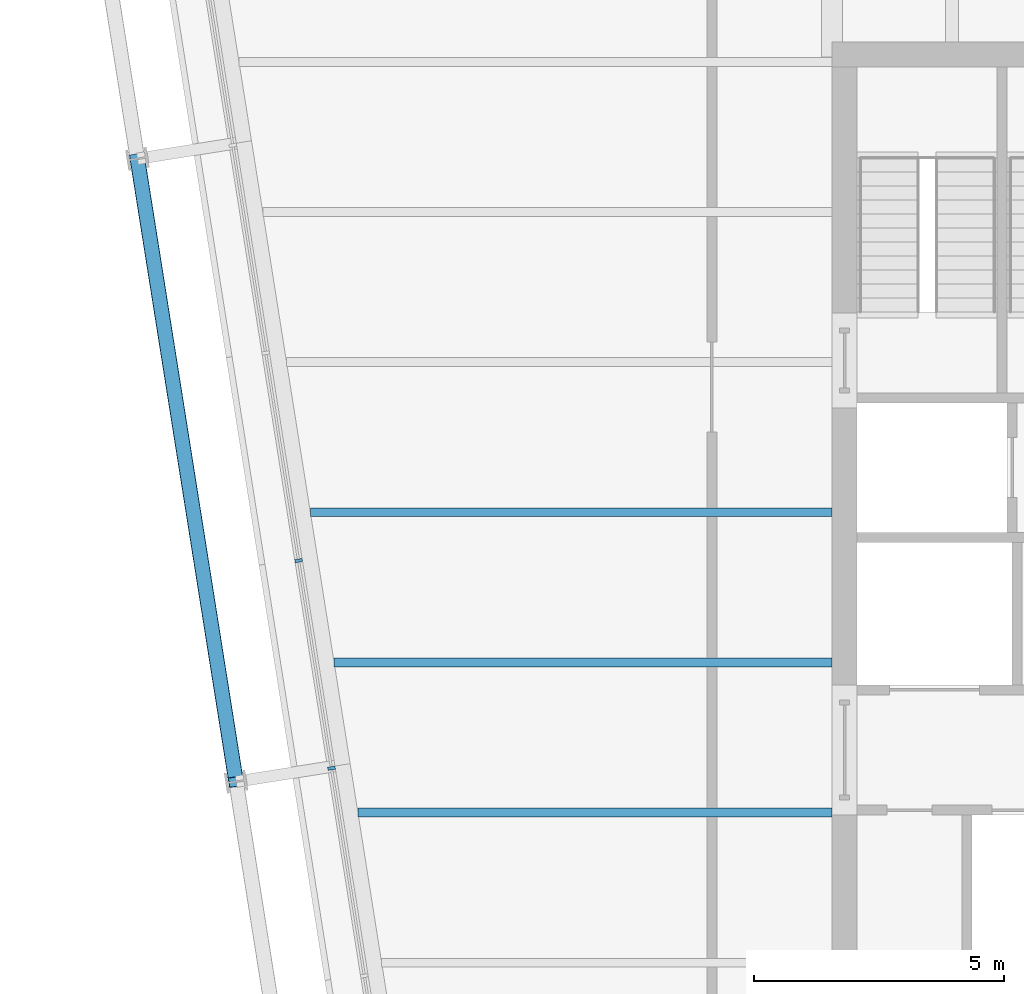
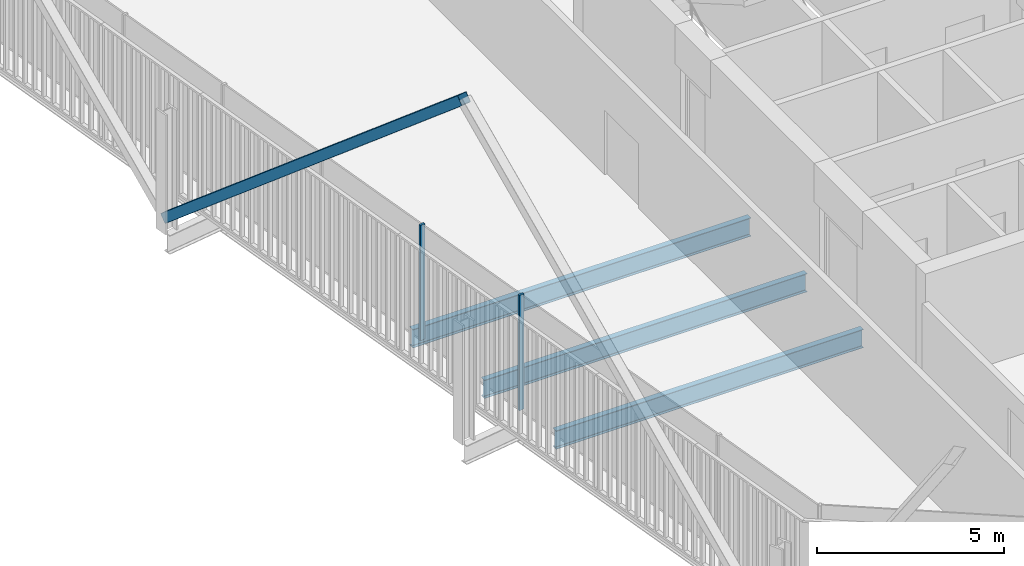
# One storey, part 5 of 21: 3 beams, 3 members, 1 element without a shape of its own.
"""IFC4 building model written with IfcOpenShell, lengths in metres."""

from ifc_helpers import new_model, si_unit, direction, frame, origin, origin_2d, place, context, subcontext, project, spatial, rectangle, hollow_rectangle, i_section, extrude, material, layer, layer_set, material_profile, profile_set, type_object, element, aggregate, save


model = new_model("IFC4")

# Units and contexts
model_context = context("Model", 3, precision=1e-05, world=origin(), true_north=direction((0.0, 1.0)))
body_context = subcontext(model_context, "Body", "Model", "MODEL_VIEW")
ifc_project = project(units=[si_unit("LENGTHUNIT", "METRE"), si_unit("AREAUNIT", "SQUARE_METRE"), si_unit("VOLUMEUNIT", "CUBIC_METRE"), si_unit("PLANEANGLEUNIT", "RADIAN"), si_unit("MASSUNIT", "GRAM", prefix="KILO")], contexts=[model_context])

# Site, building, storey
site_placement = place(None, origin())
site = spatial("IfcSite", under=ifc_project, at=site_placement, CompositionType="ELEMENT")
building_placement = place(site_placement, origin())
building = spatial("IfcBuilding", under=site, at=building_placement, Name="Millrace Tower", CompositionType="ELEMENT")
storey_placement = place(building_placement, frame((0.0, 0.0, 235.89990234375)))
storey = spatial("IfcBuildingStorey", under=building, at=storey_placement, Name="L54", CompositionType="ELEMENT", Elevation=235.89990234375)

# Curtain wall, members
ifc_material_1 = material(Name="Aluminium and glass", Category="aluminium")
ifc_layer = layer(ifc_material_1, 0.14990234375)
ifc_layer_set = layer_set([ifc_layer], Name="Aluminium and glass")
curtain_wall_type = type_object("IfcCurtainWallType", Name="CW-1 office vision curtain wall", PredefinedType="NOTDEFINED", material=ifc_layer_set)
curtain_wall_placement = place(storey_placement, origin())
curtain_wall = element("IfcCurtainWall", 1, at=curtain_wall_placement, inside=storey, type_object=curtain_wall_type, Name="Curtain wall D-F08 L54", PredefinedType="NOTDEFINED")
ifc_material_2 = material(Name="Aluminium", Category="aluminium")
ifc_material_profile_1 = material_profile(ifc_material_2, rectangle(XDim=0.06494140625, YDim=0.14990234375, at=origin_2d()))
ifc_profile_set_1 = profile_set([ifc_material_profile_1], Name="Aluminium")
member_type_1 = type_object("IfcMemberType", Name="CW-1 office vision curtain wall mullion", PredefinedType="MULLION", material=ifc_profile_set_1)
member_1_placement = place(storey_placement, frame((-25.057373046875, -0.966064453125, 0.14013671875), z_axis=(0.0, 0.0, 1.0), x_axis=(0.156434471884, -0.987688339511, 0.0)))
member_1 = element("IfcMember", 2, at=member_1_placement, type_object=member_type_1, Name="CW1 mullion D-F08.6", PredefinedType="MULLION", context=body_context, shape_type="SweptSolid", body=[
    extrude(rectangle(XDim=0.06494140625, YDim=0.14990234375, at=origin_2d()), origin(), (0.0, 0.0, 1.0), 3.760009765625),
])
member_2_placement = place(storey_placement, frame((-24.400390625, -5.1142578125, 0.14013671875), z_axis=(0.0, 0.0, 1.0), x_axis=(0.156434471884, -0.987688339511, 0.0)))
member_2 = element("IfcMember", 3, at=member_2_placement, type_object=member_type_1, Name="CW1 mullion D-F08.7", PredefinedType="MULLION", context=body_context, shape_type="SweptSolid", body=[
    extrude(rectangle(XDim=0.06494140625, YDim=0.14990234375, at=origin_2d()), origin(), (0.0, 0.0, 1.0), 3.760009765625),
])
aggregate(curtain_wall, [member_1, member_2])

# Member
ifc_material_3 = material(Name="Steel ASTM A500 Grade C", Category="steel")
ifc_material_profile_2 = material_profile(ifc_material_3, hollow_rectangle(XDim=0.3046875, YDim=0.3046875, WallThickness=0.009521484375, InnerFilletRadius=0.004638671875, OuterFilletRadius=0.014404296875, at=origin_2d()))
ifc_profile_set_2 = profile_set([ifc_material_profile_2], Name="Steel ASTM A500 Grade C")
member_type_2 = type_object("IfcMemberType", Name="Exoskeleton brace HSS12x12x3/8", PredefinedType="BRACE", material=ifc_profile_set_2)
member_3_placement = place(storey_placement, frame((-28.27783203125, 7.0615234375, 0.400146484375), z_axis=(0.119247735846, -0.752852871814, 0.647296323871), x_axis=(0.987686809102, 0.1564441342, 0.0)))
element("IfcMember", 4, at=member_3_placement, inside=storey, type_object=member_type_2, Name="BRC-D-L54-15", PredefinedType="BRACE", context=body_context, shape_type="SweptSolid", body=[
    extrude(hollow_rectangle(XDim=0.3046875, YDim=0.3046875, WallThickness=0.009521484375, InnerFilletRadius=0.004638671875, OuterFilletRadius=0.014404296875, at=origin_2d()), origin(), (0.0, 0.0, 1.0), 16.5302734375),
])

# Beams
ifc_material_4 = material(Name="Steel ASTM A992 Grade 50", Category="steel")
ifc_material_profile_3 = material_profile(ifc_material_4, i_section(OverallWidth=0.177978515625, OverallDepth=0.599365234375, WebThickness=0.010009765625, FlangeThickness=0.012939453125, FilletRadius=0.012939453125, at=origin_2d()))
ifc_profile_set_3 = profile_set([ifc_material_profile_3], Name="Steel ASTM A992 Grade 50")
beam_type_1 = type_object("IfcBeamType", Name="Floor beam W24x55", PredefinedType="JOIST", material=ifc_profile_set_3)
beam_1_placement = place(storey_placement, frame((-23.872802734375, -6.0, -0.459716796875), z_axis=(1.0, 0.0, 0.0), x_axis=(0.0, 1.0, 0.0)))
element("IfcBeam", 5, at=beam_1_placement, inside=storey, type_object=beam_type_1, Name="BM-D-L54-S1-S009", PredefinedType="JOIST", context=body_context, shape_type="SweptSolid", body=[
    extrude(i_section(OverallWidth=0.177978515625, OverallDepth=0.599365234375, WebThickness=0.010009765625, FlangeThickness=0.012939453125, FilletRadius=0.012939453125, at=origin_2d()), origin(), (0.0, 0.0, 1.0), 9.472900390625),
])
beam_2_placement = place(storey_placement, frame((-24.34814453125, -3.0, -0.459716796875), z_axis=(1.0, 0.0, 0.0), x_axis=(0.0, 1.0, 0.0)))
element("IfcBeam", 6, at=beam_2_placement, inside=storey, type_object=beam_type_1, Name="BM-D-L54-S1-S012", PredefinedType="JOIST", context=body_context, shape_type="SweptSolid", body=[
    extrude(i_section(OverallWidth=0.177978515625, OverallDepth=0.599365234375, WebThickness=0.010009765625, FlangeThickness=0.012939453125, FilletRadius=0.012939453125, at=origin_2d()), origin(), (0.0, 0.0, 1.0), 9.9482421875),
])
ifc_material_5 = material(Name="Steel ASTM A992 Grade 50", Category="steel")
ifc_material_profile_4 = material_profile(ifc_material_5, i_section(OverallWidth=0.1787109375, OverallDepth=0.60205078125, WebThickness=0.010986328125, FlangeThickness=0.014892578125, FilletRadius=0.0126953125, at=origin_2d()))
ifc_profile_set_4 = profile_set([ifc_material_profile_4], Name="Steel ASTM A992 Grade 50")
beam_type_2 = type_object("IfcBeamType", Name="Floor beam W24x62", PredefinedType="JOIST", material=ifc_profile_set_4)
beam_3_placement = place(storey_placement, frame((-24.8232421875, 0.0, -0.4609375), z_axis=(1.0, 0.0, 0.0), x_axis=(0.0, 1.0, 0.0)))
element("IfcBeam", 7, at=beam_3_placement, inside=storey, type_object=beam_type_2, Name="BM-D-L54-S1-S015", PredefinedType="JOIST", context=body_context, shape_type="SweptSolid", body=[
    extrude(i_section(OverallWidth=0.1787109375, OverallDepth=0.60205078125, WebThickness=0.010986328125, FlangeThickness=0.014892578125, FilletRadius=0.0126953125, at=origin_2d()), origin(), (0.0, 0.0, 1.0), 10.42333984375),
])

save(model, "model.ifc")
